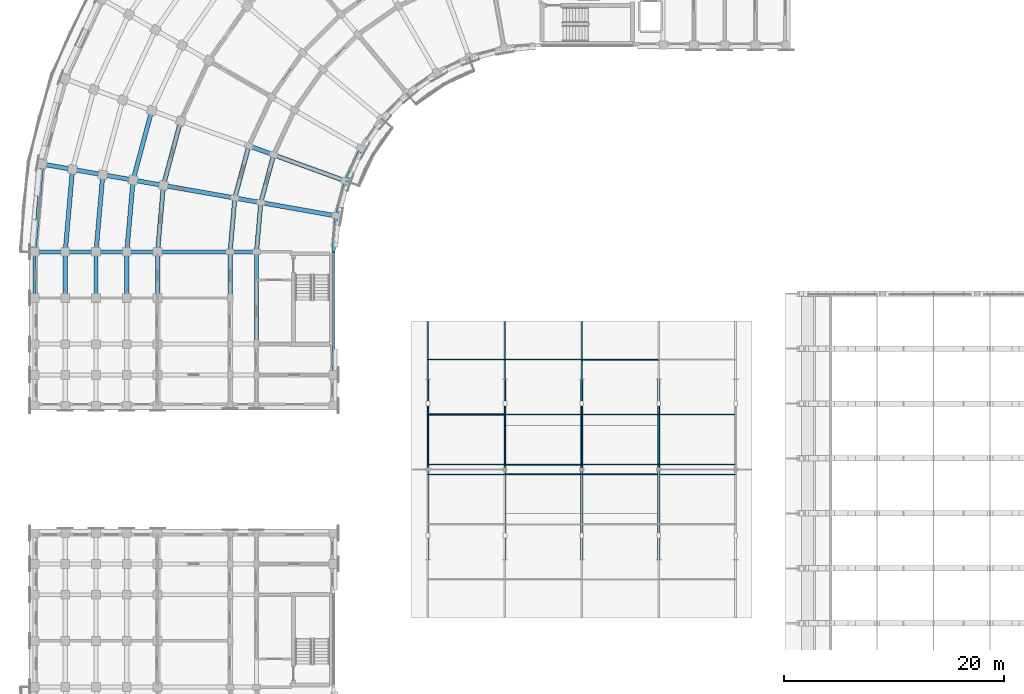
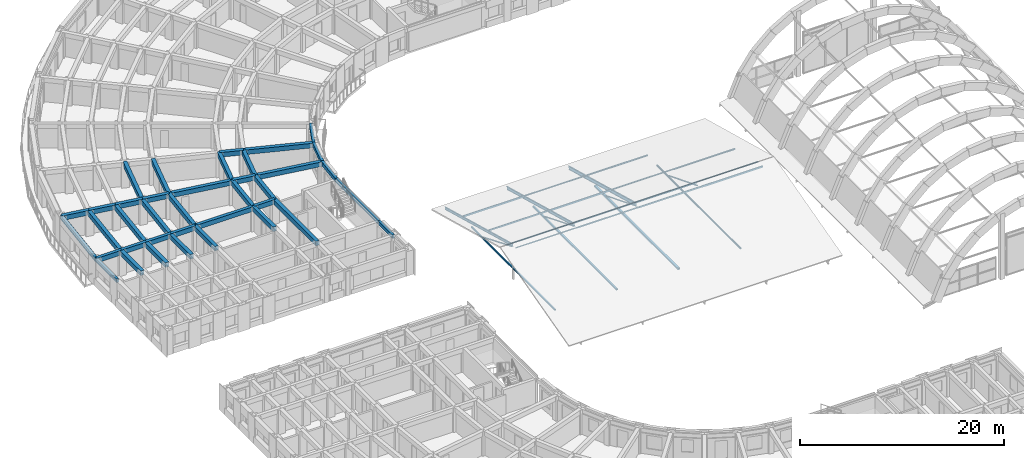
# One storey, part 17 of 76: 41 beams, 23 members.
"""IFC4 building model written with IfcOpenShell, lengths in metres."""

from ifc_helpers import new_model, si_unit, direction, frame, origin, origin_2d, place, context, subcontext, project, spatial, rectangle, hollow_rectangle, hollow_circle, i_section, extrude, material, material_profile, profile_set, type_object, element, save


model = new_model("IFC4")

# Units and contexts
model_context = context("Model", 3, precision=1e-05, world=origin(), true_north=direction((0.0, 1.0)))
body_context = subcontext(model_context, "Body", "Model", "MODEL_VIEW")
ifc_project = project(units=[si_unit("LENGTHUNIT", "METRE"), si_unit("AREAUNIT", "SQUARE_METRE"), si_unit("VOLUMEUNIT", "CUBIC_METRE"), si_unit("PLANEANGLEUNIT", "RADIAN"), si_unit("MASSUNIT", "GRAM", prefix="KILO")], contexts=[model_context])

# Site, building, storey
site_placement = place(None, origin())
site = spatial("IfcSite", under=ifc_project, at=site_placement, CompositionType="ELEMENT")
building_placement = place(site_placement, origin())
building = spatial("IfcBuilding", under=site, at=building_placement, Name="Kiranvali Square Residences", CompositionType="ELEMENT")
storey_placement = place(building_placement, frame((0.0, 0.0, 8.699951171875)))
storey = spatial("IfcBuildingStorey", under=building, at=storey_placement, Name="L02", CompositionType="ELEMENT", Elevation=8.699951171875)

# Beams
ifc_material_1 = material(Name="Concrete M40 (40 MPa)", Category="concrete")
ifc_material_profile_1 = material_profile(ifc_material_1, rectangle(XDim=0.35009765625, YDim=0.550048828125, at=origin_2d()), Name="RC 350x550")
ifc_profile_set_1 = profile_set([ifc_material_profile_1], Name="Concrete M40 (40 MPa)")
beam_type_1 = type_object("IfcBeamType", Name="BM-M40-350x550", PredefinedType="BEAM", material=ifc_profile_set_1)
beam_1_placement = place(storey_placement, frame((22.39990234375, 87.800048828125, 2.655029296875), z_axis=(-1.0, 0.0, 0.0), x_axis=(0.0, -1.0, 0.0)))
element("IfcBeam", 1, at=beam_1_placement, inside=storey, type_object=beam_type_1, Name="L02 beam BM-A-L02-A2T0-12", PredefinedType="BEAM", context=body_context, shape_type="SweptSolid", body=[
    extrude(rectangle(XDim=0.35009765625, YDim=0.550048828125, at=origin_2d()), origin(), (0.0, 0.0, 1.0), 2.39990234375),
])
beam_2_placement = place(storey_placement, frame((20.0, 87.800048828125, 2.655029296875), z_axis=(-1.0, 0.0, 0.0), x_axis=(0.0, -1.0, 0.0)))
element("IfcBeam", 2, at=beam_2_placement, inside=storey, type_object=beam_type_1, Name="L02 beam BM-A-L02-A2T0-23", PredefinedType="BEAM", context=body_context, shape_type="SweptSolid", body=[
    extrude(rectangle(XDim=0.35009765625, YDim=0.550048828125, at=origin_2d()), origin(), (0.0, 0.0, 1.0), 6.60009765625),
])
beam_3_placement = place(storey_placement, frame((13.39990234375, 87.800048828125, 2.655029296875), z_axis=(-1.0, 0.0, 0.0), x_axis=(0.0, -1.0, 0.0)))
element("IfcBeam", 3, at=beam_3_placement, inside=storey, type_object=beam_type_1, Name="L02 beam BM-A-L02-A2T0-34", PredefinedType="BEAM", context=body_context, shape_type="SweptSolid", body=[
    extrude(rectangle(XDim=0.35009765625, YDim=0.550048828125, at=origin_2d()), origin(), (0.0, 0.0, 1.0), 2.7998046875),
])
for number, where, z_axis, x_axis, name in (
    (4, (10.60009765625, 87.800048828125, 2.655029296875), (-1.0, 0.0, 0.0), (0.0, -1.0, 0.0), "L02 beam BM-A-L02-A2T0-45"),
    (5, (7.800048828125, 87.800048828125, 2.655029296875), (-1.0, 0.0, 0.0), (0.0, -1.0, 0.0), "L02 beam BM-A-L02-A2T0-56"),
    (6, (5.0, 87.800048828125, 2.655029296875), (-1.0, 0.0, 0.0), (0.0, -1.0, 0.0), "L02 beam BM-A-L02-A2T0-67"),
):
    element("IfcBeam", number, at=place(storey_placement, frame(where, z_axis=z_axis, x_axis=x_axis)), inside=storey, type_object=beam_type_1, Name=name, PredefinedType="BEAM", context=body_context, shape_type="SweptSolid", body=[
        extrude(rectangle(XDim=0.35009765625, YDim=0.550048828125, at=origin_2d()), origin(), (0.0, 0.0, 1.0), 2.800048828125),
    ])
ifc_material_2 = material(Name="Concrete M45 (45 MPa)", Category="concrete")
ifc_material_profile_2 = material_profile(ifc_material_2, rectangle(XDim=0.39990234375, YDim=0.550048828125, at=origin_2d()), Name="RC 400x550")
ifc_profile_set_2 = profile_set([ifc_material_profile_2], Name="Concrete M45 (45 MPa)")
beam_type_2 = type_object("IfcBeamType", Name="BM-M45-400x550", PredefinedType="BEAM", material=ifc_profile_set_2)
beam_4_placement = place(storey_placement, frame((23.955810546875, 96.6240234375, 2.655029296875), z_axis=(-0.258787642463, -0.965934240054, 0.0), x_axis=(0.965934240054, -0.258787642463, 0.0)))
element("IfcBeam", 7, at=beam_4_placement, inside=storey, type_object=beam_type_2, Name="L02 beam BM-A-L02-C07-R1", PredefinedType="BEAM", context=body_context, shape_type="SweptSolid", body=[
    extrude(rectangle(XDim=0.39990234375, YDim=0.550048828125, at=origin_2d()), origin(), (0.0, 0.0, 1.0), 4.497314453125),
])
beam_5_placement = place(storey_placement, frame((21.70068359375, 97.445068359375, 2.655029296875), z_axis=(-0.258803112091, -0.965930095386, 0.0), x_axis=(0.965930095386, -0.258803112091, 0.0)))
element("IfcBeam", 8, at=beam_5_placement, inside=storey, type_object=beam_type_2, Name="L02 beam BM-A-L02-C07-R2", PredefinedType="BEAM", context=body_context, shape_type="SweptSolid", body=[
    extrude(rectangle(XDim=0.39990234375, YDim=0.550048828125, at=origin_2d()), origin(), (0.0, 0.0, 1.0), 4.915771484375),
])
beam_6_placement = place(storey_placement, frame((15.498779296875, 99.702392578125, 2.655029296875), z_axis=(-0.258827283048, -0.965923618901, 0.0), x_axis=(0.965923618901, -0.258827283048, 0.0)))
element("IfcBeam", 9, at=beam_6_placement, inside=storey, type_object=beam_type_2, Name="L02 beam BM-A-L02-C07-R3", PredefinedType="BEAM", context=body_context, shape_type="SweptSolid", body=[
    extrude(rectangle(XDim=0.39990234375, YDim=0.550048828125, at=origin_2d()), origin(), (0.0, 0.0, 1.0), 6.066162109375),
])
beam_7_placement = place(storey_placement, frame((12.86767578125, 100.659912109375, 2.655029296875), z_axis=(-0.258847178297, -0.965918287583, 0.0), x_axis=(0.965918287583, -0.258847178297, 0.0)))
element("IfcBeam", 10, at=beam_7_placement, inside=storey, type_object=beam_type_2, Name="L02 beam BM-A-L02-C07-R4", PredefinedType="BEAM", context=body_context, shape_type="SweptSolid", body=[
    extrude(rectangle(XDim=0.39990234375, YDim=0.550048828125, at=origin_2d()), origin(), (0.0, 0.0, 1.0), 6.55419921875),
])
beam_8_placement = place(storey_placement, frame((22.7919921875, 92.280029296875, 2.655029296875), z_axis=(-0.087187153726, -0.996191949488, 0.0), x_axis=(0.996191949488, -0.087187153726, 0.0)))
element("IfcBeam", 11, at=beam_8_placement, inside=storey, type_object=beam_type_2, Name="L02 beam BM-A-L02-C08-R1", PredefinedType="BEAM", context=body_context, shape_type="SweptSolid", body=[
    extrude(rectangle(XDim=0.39990234375, YDim=0.550048828125, at=origin_2d()), origin(), (0.0, 0.0, 1.0), 4.4970703125),
])
beam_9_placement = place(storey_placement, frame((20.428466796875, 92.69677734375, 2.655029296875), z_axis=(-0.087167566415, -0.996193663584, 0.0), x_axis=(0.996193663584, -0.087167566415, 0.0)))
element("IfcBeam", 12, at=beam_9_placement, inside=storey, type_object=beam_type_2, Name="L02 beam BM-A-L02-C08-R2", PredefinedType="BEAM", context=body_context, shape_type="SweptSolid", body=[
    extrude(rectangle(XDim=0.39990234375, YDim=0.550048828125, at=origin_2d()), origin(), (0.0, 0.0, 1.0), 4.91552734375),
])
beam_10_placement = place(storey_placement, frame((13.9287109375, 93.843017578125, 2.655029296875), z_axis=(-0.087174938512, -0.996193018494, 0.0), x_axis=(0.996193018494, -0.087174938512, 0.0)))
element("IfcBeam", 13, at=beam_10_placement, inside=storey, type_object=beam_type_2, Name="L02 beam BM-A-L02-C08-R3", PredefinedType="BEAM", context=body_context, shape_type="SweptSolid", body=[
    extrude(rectangle(XDim=0.39990234375, YDim=0.550048828125, at=origin_2d()), origin(), (0.0, 0.0, 1.0), 6.066162109375),
])
beam_11_placement = place(storey_placement, frame((11.171142578125, 94.3291015625, 2.655029296875), z_axis=(-0.0871295204, -0.996196991902, 0.0), x_axis=(0.996196991902, -0.0871295204, 0.0)))
element("IfcBeam", 14, at=beam_11_placement, inside=storey, type_object=beam_type_2, Name="L02 beam BM-A-L02-C08-R4", PredefinedType="BEAM", context=body_context, shape_type="SweptSolid", body=[
    extrude(rectangle(XDim=0.39990234375, YDim=0.550048828125, at=origin_2d()), origin(), (0.0, 0.0, 1.0), 6.553955078125),
])
beam_12_placement = place(storey_placement, frame((8.413818359375, 94.8154296875, 2.655029296875), z_axis=(-0.087156198737, -0.996194658198, 0.0), x_axis=(0.996194658198, -0.087156198737, 0.0)))
element("IfcBeam", 15, at=beam_12_placement, inside=storey, type_object=beam_type_2, Name="L02 beam BM-A-L02-C08-R5", PredefinedType="BEAM", context=body_context, shape_type="SweptSolid", body=[
    extrude(rectangle(XDim=0.39990234375, YDim=0.550048828125, at=origin_2d()), origin(), (0.0, 0.0, 1.0), 7.042236328125),
])
beam_13_placement = place(storey_placement, frame((5.65625, 95.301513671875, 2.655029296875), z_axis=(-0.087150058103, -0.996195195417, 0.0), x_axis=(0.996195195417, -0.087150058103, 0.0)))
element("IfcBeam", 16, at=beam_13_placement, inside=storey, type_object=beam_type_2, Name="L02 beam BM-A-L02-C08-R6", PredefinedType="BEAM", context=body_context, shape_type="SweptSolid", body=[
    extrude(rectangle(XDim=0.39990234375, YDim=0.550048828125, at=origin_2d()), origin(), (0.0, 0.0, 1.0), 7.530029296875),
])
beam_14_placement = place(storey_placement, frame((30.53369140625, 94.22998046875, 2.655029296875), z_axis=(-0.939697665127, 0.342006283793, 0.0), x_axis=(-0.342006283793, -0.939697665127, 0.0)))
element("IfcBeam", 17, at=beam_14_placement, inside=storey, type_object=beam_type_2, Name="L02 beam BM-A-L02-RAD07-01", PredefinedType="BEAM", context=body_context, shape_type="SweptSolid", body=[
    extrude(rectangle(XDim=0.39990234375, YDim=0.550048828125, at=origin_2d()), origin(), (0.0, 0.0, 1.0), 7.0),
])
beam_15_placement = place(storey_placement, frame((23.955810546875, 96.6240234375, 2.655029296875), z_axis=(-0.939659694648, 0.342110593602, 0.0), x_axis=(-0.342110593602, -0.939659694648, 0.0)))
element("IfcBeam", 18, at=beam_15_placement, inside=storey, type_object=beam_type_2, Name="L02 beam BM-A-L02-RAD07-12", PredefinedType="BEAM", context=body_context, shape_type="SweptSolid", body=[
    extrude(rectangle(XDim=0.39990234375, YDim=0.550048828125, at=origin_2d()), origin(), (0.0, 0.0, 1.0), 2.39990234375),
])
beam_16_placement = place(storey_placement, frame((29.685546875, 91.064697265625, 2.655029296875), z_axis=(-0.984812337125, 0.173622177865, 0.0), x_axis=(-0.173622177865, -0.984812337125, 0.0)))
element("IfcBeam", 19, at=beam_16_placement, inside=storey, type_object=beam_type_2, Name="L02 beam BM-A-L02-RAD08-01", PredefinedType="BEAM", context=body_context, shape_type="SweptSolid", body=[
    extrude(rectangle(XDim=0.39990234375, YDim=0.550048828125, at=origin_2d()), origin(), (0.0, 0.0, 1.0), 6.999755859375),
])
beam_17_placement = place(storey_placement, frame((22.7919921875, 92.280029296875, 2.655029296875), z_axis=(-0.984808127031, 0.173646056486, 0.0), x_axis=(-0.173646056486, -0.984808127031, 0.0)))
element("IfcBeam", 20, at=beam_17_placement, inside=storey, type_object=beam_type_2, Name="L02 beam BM-A-L02-RAD08-12", PredefinedType="BEAM", context=body_context, shape_type="SweptSolid", body=[
    extrude(rectangle(XDim=0.39990234375, YDim=0.550048828125, at=origin_2d()), origin(), (0.0, 0.0, 1.0), 2.39990234375),
])
beam_18_placement = place(storey_placement, frame((20.428466796875, 92.69677734375, 2.655029296875), z_axis=(-0.984803661269, 0.173671381499, 0.0), x_axis=(-0.173671381499, -0.984803661269, 0.0)))
element("IfcBeam", 21, at=beam_18_placement, inside=storey, type_object=beam_type_2, Name="L02 beam BM-A-L02-RAD08-23", PredefinedType="BEAM", context=body_context, shape_type="SweptSolid", body=[
    extrude(rectangle(XDim=0.39990234375, YDim=0.550048828125, at=origin_2d()), origin(), (0.0, 0.0, 1.0), 6.60009765625),
])
beam_19_placement = place(storey_placement, frame((13.9287109375, 93.843017578125, 2.655029296875), z_axis=(-0.984816895441, 0.173596320392, 0.0), x_axis=(-0.173596320392, -0.984816895441, 0.0)))
element("IfcBeam", 22, at=beam_19_placement, inside=storey, type_object=beam_type_2, Name="L02 beam BM-A-L02-RAD08-34", PredefinedType="BEAM", context=body_context, shape_type="SweptSolid", body=[
    extrude(rectangle(XDim=0.39990234375, YDim=0.550048828125, at=origin_2d()), origin(), (0.0, 0.0, 1.0), 2.800048828125),
])
beam_20_placement = place(storey_placement, frame((11.171142578125, 94.3291015625, 2.655029296875), z_axis=(-0.984799355489, 0.173695795656, 0.0), x_axis=(-0.173695795656, -0.984799355489, 0.0)))
element("IfcBeam", 23, at=beam_20_placement, inside=storey, type_object=beam_type_2, Name="L02 beam BM-A-L02-RAD08-45", PredefinedType="BEAM", context=body_context, shape_type="SweptSolid", body=[
    extrude(rectangle(XDim=0.39990234375, YDim=0.550048828125, at=origin_2d()), origin(), (0.0, 0.0, 1.0), 2.7998046875),
])
beam_21_placement = place(storey_placement, frame((8.413818359375, 94.8154296875, 2.655029296875), z_axis=(-0.984816895441, 0.173596320392, 0.0), x_axis=(-0.173596320392, -0.984816895441, 0.0)))
element("IfcBeam", 24, at=beam_21_placement, inside=storey, type_object=beam_type_2, Name="L02 beam BM-A-L02-RAD08-56", PredefinedType="BEAM", context=body_context, shape_type="SweptSolid", body=[
    extrude(rectangle(XDim=0.39990234375, YDim=0.550048828125, at=origin_2d()), origin(), (0.0, 0.0, 1.0), 2.800048828125),
])
beam_22_placement = place(storey_placement, frame((5.65625, 95.301513671875, 2.655029296875), z_axis=(-0.984799355489, 0.173695795656, 0.0), x_axis=(-0.173695795656, -0.984799355489, 0.0)))
element("IfcBeam", 25, at=beam_22_placement, inside=storey, type_object=beam_type_2, Name="L02 beam BM-A-L02-RAD08-67", PredefinedType="BEAM", context=body_context, shape_type="SweptSolid", body=[
    extrude(rectangle(XDim=0.39990234375, YDim=0.550048828125, at=origin_2d()), origin(), (0.0, 0.0, 1.0), 2.7998046875),
])
beam_23_placement = place(storey_placement, frame((22.39990234375, 87.800048828125, 2.655029296875), z_axis=(0.0, -1.0, 0.0), x_axis=(1.0, 0.0, 0.0)))
element("IfcBeam", 26, at=beam_23_placement, inside=storey, type_object=beam_type_2, Name="L02 beam BM-A-L02-A2V0-R1", PredefinedType="BEAM", context=body_context, shape_type="SweptSolid", body=[
    extrude(rectangle(XDim=0.39990234375, YDim=0.550048828125, at=origin_2d()), origin(), (0.0, 0.0, 1.0), 8.400146484375),
])
for number, where, z_axis, x_axis, name in (
    (27, (20.0, 87.800048828125, 2.655029296875), (0.0, -1.0, 0.0), (1.0, 0.0, 0.0), "L02 beam BM-A-L02-A2V0-R2"),
    (28, (13.39990234375, 87.800048828125, 2.655029296875), (0.0, -1.0, 0.0), (1.0, 0.0, 0.0), "L02 beam BM-A-L02-A2V0-R3"),
    (29, (10.60009765625, 87.800048828125, 2.655029296875), (0.0, -1.0, 0.0), (1.0, 0.0, 0.0), "L02 beam BM-A-L02-A2V0-R4"),
    (30, (7.800048828125, 87.800048828125, 2.655029296875), (0.0, -1.0, 0.0), (1.0, 0.0, 0.0), "L02 beam BM-A-L02-A2V0-R5"),
    (31, (5.0, 87.800048828125, 2.655029296875), (0.0, -1.0, 0.0), (1.0, 0.0, 0.0), "L02 beam BM-A-L02-A2V0-R6"),
):
    element("IfcBeam", number, at=place(storey_placement, frame(where, z_axis=z_axis, x_axis=x_axis)), inside=storey, type_object=beam_type_2, Name=name, PredefinedType="BEAM", context=body_context, shape_type="SweptSolid", body=[
        extrude(rectangle(XDim=0.39990234375, YDim=0.550048828125, at=origin_2d()), origin(), (0.0, 0.0, 1.0), 4.199951171875),
    ])

# Members
ifc_material_3 = material(Name="Structural steel E350", Category="steel")
ifc_material_profile_3 = material_profile(ifc_material_3, hollow_circle(Radius=0.06982421875, WallThickness=0.00537109375, at=origin_2d()), Name="CHS 139.7x5.4")
ifc_profile_set_3 = profile_set([ifc_material_profile_3], Name="Structural steel E350")
member_type_1 = type_object("IfcMemberType", Name="MEM-CHS139", PredefinedType="BRACE", material=ifc_profile_set_3)
member_1_placement = place(storey_placement, frame((52.0, 74.0, 1.244140625), z_axis=(0.0, -0.92918908644, 0.369604709982), x_axis=(1.0, 0.0, 0.0)))
element("IfcMember", 32, at=member_1_placement, inside=storey, type_object=member_type_1, Name="Nursery Pavilion roof truss diagonal brace 3B", PredefinedType="BRACE", context=body_context, shape_type="SweptSolid", body=[
    extrude(hollow_circle(Radius=0.06982421875, WallThickness=0.00537109375, at=origin_2d()), origin(), (0.0, 0.0, 1.0), 6.177490234375),
])
ifc_material_profile_4 = material_profile(ifc_material_3, hollow_circle(Radius=0.096923828125, WallThickness=0.006103515625, at=origin_2d()), Name="CHS 193.7x6.0")
ifc_profile_set_4 = profile_set([ifc_material_profile_4], Name="Structural steel E350")
member_type_2 = type_object("IfcMemberType", Name="MEM-CHS193", PredefinedType="CHORD", material=ifc_profile_set_4)
member_2_placement = place(storey_placement, frame((59.0, 59.800048828125, 1.10009765625), z_axis=(0.0, 1.0, 0.0), x_axis=(-1.0, 0.0, 0.0)))
element("IfcMember", 33, at=member_2_placement, inside=storey, type_object=member_type_2, Name="Nursery Pavilion roof truss collar chord 4", PredefinedType="CHORD", context=body_context, shape_type="SweptSolid", body=[
    extrude(hollow_circle(Radius=0.096923828125, WallThickness=0.006103515625, at=origin_2d()), origin(), (0.0, 0.0, 1.0), 16.39990234375),
])
ifc_material_profile_5 = material_profile(ifc_material_3, hollow_circle(Radius=0.04443359375, WallThickness=0.0048828125, at=origin_2d()), Name="CHS 88.9x4.8")
ifc_profile_set_5 = profile_set([ifc_material_profile_5], Name="Structural steel E350")
member_type_3 = type_object("IfcMemberType", Name="MEM-CHS88", PredefinedType="BRACE", material=ifc_profile_set_5)
member_3_placement = place(storey_placement, frame((45.0, 74.0, 1.22412109375), z_axis=(0.0, -0.926677314824, 0.375857890952), x_axis=(1.0, 0.0, 0.0)))
element("IfcMember", 34, at=member_3_placement, inside=storey, type_object=member_type_3, Name="Nursery Pavilion roof truss diagonal brace 2B", PredefinedType="BRACE", context=body_context, shape_type="SweptSolid", body=[
    extrude(hollow_circle(Radius=0.04443359375, WallThickness=0.0048828125, at=origin_2d()), origin(), (0.0, 0.0, 1.0), 6.194091796875),
])
ifc_material_profile_6 = material_profile(ifc_material_3, i_section(OverallWidth=0.074951171875, OverallDepth=0.14990234375, WebThickness=0.0048828125, FlangeThickness=0.008056640625, at=origin_2d()), Name="ISMB 150")
ifc_profile_set_6 = profile_set([ifc_material_profile_6], Name="Structural steel E350")
member_type_4 = type_object("IfcMemberType", Name="MEM-ISMB150-P", PredefinedType="PURLIN", material=ifc_profile_set_6)
for number, where, z_axis, x_axis, name in (
    (35, (59.0, 68.449951171875, 3.811767578125), (1.0, 0.0, 0.0), (0.0, 1.0, 0.0), "Nursery Pavilion roof purlin 4.4"),
    (36, (52.0, 73.0, 2.592529296875), (1.0, 0.0, 0.0), (0.0, 1.0, 0.0), "Nursery Pavilion roof purlin 5.3"),
    (37, (45.0, 78.0, 1.2529296875), (1.0, 0.0, 0.0), (0.0, 1.0, 0.0), "Nursery Pavilion roof purlin 6.2"),
):
    element("IfcMember", number, at=place(storey_placement, frame(where, z_axis=z_axis, x_axis=x_axis)), inside=storey, type_object=member_type_4, Name=name, PredefinedType="PURLIN", context=body_context, shape_type="SweptSolid", body=[
        extrude(i_section(OverallWidth=0.074951171875, OverallDepth=0.14990234375, WebThickness=0.0048828125, FlangeThickness=0.008056640625, at=origin_2d()), origin(), (0.0, 0.0, 1.0), 7.0),
    ])
ifc_material_profile_7 = material_profile(ifc_material_3, i_section(OverallWidth=0.0849609375, OverallDepth=0.175048828125, WebThickness=0.005859375, FlangeThickness=0.009033203125, at=origin_2d()), Name="ISMB 175")
ifc_profile_set_7 = profile_set([ifc_material_profile_7], Name="Structural steel E350")
member_type_5 = type_object("IfcMemberType", Name="MEM-ISMB175-P", PredefinedType="PURLIN", material=ifc_profile_set_7)
for number, where, z_axis, x_axis, name in (
    (38, (59.0, 73.0, 2.580078125), (1.0, 0.0, 0.0), (0.0, 1.0, 0.0), "Nursery Pavilion roof purlin 5.4"),
    (39, (52.0, 78.0, 1.240478515625), (1.0, 0.0, 0.0), (0.0, 1.0, 0.0), "Nursery Pavilion roof purlin 6.3"),
):
    element("IfcMember", number, at=place(storey_placement, frame(where, z_axis=z_axis, x_axis=x_axis)), inside=storey, type_object=member_type_5, Name=name, PredefinedType="PURLIN", context=body_context, shape_type="SweptSolid", body=[
        extrude(i_section(OverallWidth=0.0849609375, OverallDepth=0.175048828125, WebThickness=0.005859375, FlangeThickness=0.009033203125, at=origin_2d()), origin(), (0.0, 0.0, 1.0), 7.0),
    ])
ifc_material_profile_8 = material_profile(ifc_material_3, hollow_rectangle(XDim=0.06103515625, YDim=0.1220703125, WallThickness=0.00439453125, at=origin_2d()), Name="RHS 122x61x4.5")
ifc_profile_set_8 = profile_set([ifc_material_profile_8], Name="Structural steel E350")
member_type_6 = type_object("IfcMemberType", Name="MEM-RHS122", PredefinedType="PURLIN", material=ifc_profile_set_8)
member_4_placement = place(storey_placement, frame((38.0, 67.550048828125, 3.82568359375), z_axis=(1.0, 0.0, 0.0), x_axis=(0.0, 1.0, 0.0)))
element("IfcMember", 40, at=member_4_placement, inside=storey, type_object=member_type_6, Name="Nursery Pavilion roof purlin 3.1", PredefinedType="PURLIN", context=body_context, shape_type="SweptSolid", body=[
    extrude(hollow_rectangle(XDim=0.06103515625, YDim=0.1220703125, WallThickness=0.00439453125, at=origin_2d()), origin(), (0.0, 0.0, 1.0), 7.0),
])
ifc_material_profile_9 = material_profile(ifc_material_3, hollow_rectangle(XDim=0.08203125, YDim=0.14501953125, WallThickness=0.00537109375, at=origin_2d()), Name="RHS 145x82x5.4")
ifc_profile_set_9 = profile_set([ifc_material_profile_9], Name="Structural steel E350")
member_type_7 = type_object("IfcMemberType", Name="MEM-RHS145", PredefinedType="PURLIN", material=ifc_profile_set_9)
for number, where, z_axis, x_axis, name in (
    (41, (45.0, 67.550048828125, 3.814208984375), (1.0, 0.0, 0.0), (0.0, 1.0, 0.0), "Nursery Pavilion roof purlin 3.2"),
    (42, (38.0, 68.449951171875, 3.814208984375), (1.0, 0.0, 0.0), (0.0, 1.0, 0.0), "Nursery Pavilion roof purlin 4.1"),
):
    element("IfcMember", number, at=place(storey_placement, frame(where, z_axis=z_axis, x_axis=x_axis)), inside=storey, type_object=member_type_7, Name=name, PredefinedType="PURLIN", context=body_context, shape_type="SweptSolid", body=[
        extrude(hollow_rectangle(XDim=0.08203125, YDim=0.14501953125, WallThickness=0.00537109375, at=origin_2d()), origin(), (0.0, 0.0, 1.0), 7.0),
    ])
ifc_material_profile_10 = material_profile(ifc_material_3, hollow_rectangle(XDim=0.092041015625, YDim=0.172119140625, WallThickness=0.00537109375, at=origin_2d()), Name="RHS 172x92x5.4")
ifc_profile_set_10 = profile_set([ifc_material_profile_10], Name="Structural steel E350")
member_type_8 = type_object("IfcMemberType", Name="MEM-RHS172", PredefinedType="PURLIN", material=ifc_profile_set_10)
for number, where, z_axis, x_axis, name in (
    (43, (52.0, 67.550048828125, 3.80078125), (1.0, 0.0, 0.0), (0.0, 1.0, 0.0), "Nursery Pavilion roof purlin 3.3"),
    (44, (45.0, 68.449951171875, 3.80078125), (1.0, 0.0, 0.0), (0.0, 1.0, 0.0), "Nursery Pavilion roof purlin 4.2"),
    (45, (38.0, 73.0, 2.58154296875), (1.0, 0.0, 0.0), (0.0, 1.0, 0.0), "Nursery Pavilion roof purlin 5.1"),
):
    element("IfcMember", number, at=place(storey_placement, frame(where, z_axis=z_axis, x_axis=x_axis)), inside=storey, type_object=member_type_8, Name=name, PredefinedType="PURLIN", context=body_context, shape_type="SweptSolid", body=[
        extrude(hollow_rectangle(XDim=0.092041015625, YDim=0.172119140625, WallThickness=0.00537109375, at=origin_2d()), origin(), (0.0, 0.0, 1.0), 7.0),
    ])
ifc_material_profile_11 = material_profile(ifc_material_3, hollow_rectangle(XDim=0.10009765625, YDim=0.199951171875, WallThickness=0.006103515625, at=origin_2d()), Name="RHS 200x100x6.0")
ifc_profile_set_11 = profile_set([ifc_material_profile_11], Name="Structural steel E350")
member_type_9 = type_object("IfcMemberType", Name="MEM-RHS200", PredefinedType="PURLIN", material=ifc_profile_set_11)
for number, where, z_axis, x_axis, name in (
    (46, (59.0, 67.550048828125, 3.786865234375), (1.0, 0.0, 0.0), (0.0, 1.0, 0.0), "Nursery Pavilion roof purlin 3.4"),
    (47, (52.0, 68.449951171875, 3.786865234375), (1.0, 0.0, 0.0), (0.0, 1.0, 0.0), "Nursery Pavilion roof purlin 4.3"),
    (48, (45.0, 73.0, 2.567626953125), (1.0, 0.0, 0.0), (0.0, 1.0, 0.0), "Nursery Pavilion roof purlin 5.2"),
    (49, (38.0, 78.0, 1.227783203125), (1.0, 0.0, 0.0), (0.0, 1.0, 0.0), "Nursery Pavilion roof purlin 6.1"),
):
    element("IfcMember", number, at=place(storey_placement, frame(where, z_axis=z_axis, x_axis=x_axis)), inside=storey, type_object=member_type_9, Name=name, PredefinedType="PURLIN", context=body_context, shape_type="SweptSolid", body=[
        extrude(hollow_rectangle(XDim=0.10009765625, YDim=0.199951171875, WallThickness=0.006103515625, at=origin_2d()), origin(), (0.0, 0.0, 1.0), 7.0),
    ])
ifc_material_profile_12 = material_profile(ifc_material_3, hollow_rectangle(XDim=0.113525390625, YDim=0.113525390625, WallThickness=0.00537109375, at=origin_2d()), Name="SHS 113.5x113.5x5.4")
ifc_profile_set_12 = profile_set([ifc_material_profile_12], Name="Structural steel E350")
member_type_10 = type_object("IfcMemberType", Name="MEM-SHS113", PredefinedType="BRACE", material=ifc_profile_set_12)
member_5_placement = place(storey_placement, frame((38.0, 74.0, 1.208984375), z_axis=(0.0, -0.924401000821, 0.381422062395), x_axis=(1.0, 0.0, 0.0)))
element("IfcMember", 50, at=member_5_placement, inside=storey, type_object=member_type_10, Name="Nursery Pavilion roof truss diagonal brace 1B", PredefinedType="BRACE", context=body_context, shape_type="SweptSolid", body=[
    extrude(hollow_rectangle(XDim=0.113525390625, YDim=0.113525390625, WallThickness=0.00537109375, at=origin_2d()), origin(), (0.0, 0.0, 1.0), 6.20947265625),
])
member_6_placement = place(storey_placement, frame((59.0, 74.0, 1.23095703125), z_axis=(0.0, -0.929839599098, 0.367965106972), x_axis=(1.0, 0.0, 0.0)))
element("IfcMember", 51, at=member_6_placement, inside=storey, type_object=member_type_10, Name="Nursery Pavilion roof truss diagonal brace 4B", PredefinedType="BRACE", context=body_context, shape_type="SweptSolid", body=[
    extrude(hollow_rectangle(XDim=0.113525390625, YDim=0.113525390625, WallThickness=0.00537109375, at=origin_2d()), origin(), (0.0, 0.0, 1.0), 6.173095703125),
])
ifc_material_profile_13 = material_profile(ifc_material_3, hollow_rectangle(XDim=0.14990234375, YDim=0.14990234375, WallThickness=0.006103515625, at=origin_2d()), Name="SHS 150x150x6.0")
ifc_profile_set_13 = profile_set([ifc_material_profile_13], Name="Structural steel E350")
member_type_11 = type_object("IfcMemberType", Name="MEM-SHS150", PredefinedType="CHORD", material=ifc_profile_set_13)
member_7_placement = place(storey_placement, frame((38.0, 59.800048828125, 1.10009765625), z_axis=(0.0, 1.0, 0.0), x_axis=(-1.0, 0.0, 0.0)))
element("IfcMember", 52, at=member_7_placement, inside=storey, type_object=member_type_11, Name="Nursery Pavilion roof truss collar chord 1", PredefinedType="CHORD", context=body_context, shape_type="SweptSolid", body=[
    extrude(hollow_rectangle(XDim=0.14990234375, YDim=0.14990234375, WallThickness=0.006103515625, at=origin_2d()), origin(), (0.0, 0.0, 1.0), 16.39990234375),
])
ifc_material_profile_14 = material_profile(ifc_material_3, hollow_rectangle(XDim=0.179931640625, YDim=0.179931640625, WallThickness=0.008056640625, at=origin_2d()), Name="SHS 180x180x8.0")
ifc_profile_set_14 = profile_set([ifc_material_profile_14], Name="Structural steel E350")
member_type_12 = type_object("IfcMemberType", Name="MEM-SHS180", PredefinedType="CHORD", material=ifc_profile_set_14)
member_8_placement = place(storey_placement, frame((45.0, 59.800048828125, 1.10009765625), z_axis=(0.0, 1.0, 0.0), x_axis=(-1.0, 0.0, 0.0)))
element("IfcMember", 53, at=member_8_placement, inside=storey, type_object=member_type_12, Name="Nursery Pavilion roof truss collar chord 2", PredefinedType="CHORD", context=body_context, shape_type="SweptSolid", body=[
    extrude(hollow_rectangle(XDim=0.179931640625, YDim=0.179931640625, WallThickness=0.008056640625, at=origin_2d()), origin(), (0.0, 0.0, 1.0), 16.39990234375),
])
ifc_material_profile_15 = material_profile(ifc_material_3, hollow_rectangle(XDim=0.219970703125, YDim=0.219970703125, WallThickness=0.008056640625, at=origin_2d()), Name="SHS 220x220x8.0")
ifc_profile_set_15 = profile_set([ifc_material_profile_15], Name="Structural steel E350")
member_type_13 = type_object("IfcMemberType", Name="MEM-SHS220", PredefinedType="CHORD", material=ifc_profile_set_15)
member_9_placement = place(storey_placement, frame((52.0, 59.800048828125, 1.10009765625), z_axis=(0.0, 1.0, 0.0), x_axis=(-1.0, 0.0, 0.0)))
element("IfcMember", 54, at=member_9_placement, inside=storey, type_object=member_type_13, Name="Nursery Pavilion roof truss collar chord 3", PredefinedType="CHORD", context=body_context, shape_type="SweptSolid", body=[
    extrude(hollow_rectangle(XDim=0.219970703125, YDim=0.219970703125, WallThickness=0.008056640625, at=origin_2d()), origin(), (0.0, 0.0, 1.0), 16.39990234375),
])

# Beams
ifc_material_profile_16 = material_profile(ifc_material_3, i_section(OverallWidth=0.139892578125, OverallDepth=0.300048828125, WebThickness=0.0078125, FlangeThickness=0.01318359375, at=origin_2d()), Name="ISMB 300")
ifc_profile_set_16 = profile_set([ifc_material_profile_16], Name="Structural steel E350")
beam_type_3 = type_object("IfcBeamType", Name="SBM-ISMB300", PredefinedType="BEAM", material=ifc_profile_set_16)
beam_24_placement = place(storey_placement, frame((38.0, 81.39990234375, 0.199951171875), z_axis=(0.0, -0.964943860611, 0.262456369459), x_axis=(1.0, 0.0, 0.0)))
element("IfcBeam", 55, at=beam_24_placement, inside=storey, type_object=beam_type_3, Name="Nursery Pavilion steel roof rafter N-1", PredefinedType="BEAM", context=body_context, shape_type="SweptSolid", body=[
    extrude(i_section(OverallWidth=0.139892578125, OverallDepth=0.300048828125, WebThickness=0.0078125, FlangeThickness=0.01318359375, at=origin_2d()), origin(), (0.0, 0.0, 1.0), 13.782958984375),
])
ifc_material_profile_17 = material_profile(ifc_material_3, i_section(OverallWidth=0.139892578125, OverallDepth=0.35009765625, WebThickness=0.008056640625, FlangeThickness=0.01416015625, at=origin_2d()), Name="ISMB 350")
ifc_profile_set_17 = profile_set([ifc_material_profile_17], Name="Structural steel E350")
beam_type_4 = type_object("IfcBeamType", Name="SBM-ISMB350", PredefinedType="BEAM", material=ifc_profile_set_17)
beam_25_placement = place(storey_placement, frame((45.0, 81.39990234375, 0.175048828125), z_axis=(0.0, -0.964948346457, 0.262439876296), x_axis=(1.0, 0.0, 0.0)))
element("IfcBeam", 56, at=beam_25_placement, inside=storey, type_object=beam_type_4, Name="Nursery Pavilion steel roof rafter N-2", PredefinedType="BEAM", context=body_context, shape_type="SweptSolid", body=[
    extrude(i_section(OverallWidth=0.139892578125, OverallDepth=0.35009765625, WebThickness=0.008056640625, FlangeThickness=0.01416015625, at=origin_2d()), origin(), (0.0, 0.0, 1.0), 13.782958984375),
])
ifc_material_profile_18 = material_profile(ifc_material_3, i_section(OverallWidth=0.139892578125, OverallDepth=0.39990234375, WebThickness=0.0087890625, FlangeThickness=0.01611328125, at=origin_2d()), Name="ISMB 400")
ifc_profile_set_18 = profile_set([ifc_material_profile_18], Name="Structural steel E350")
beam_type_5 = type_object("IfcBeamType", Name="SBM-ISMB400", PredefinedType="BEAM", material=ifc_profile_set_18)
beam_26_placement = place(storey_placement, frame((52.0, 81.39990234375, 0.150146484375), z_axis=(0.0, -0.964948346457, 0.262439876296), x_axis=(1.0, 0.0, 0.0)))
element("IfcBeam", 57, at=beam_26_placement, inside=storey, type_object=beam_type_5, Name="Nursery Pavilion steel roof rafter N-3", PredefinedType="BEAM", context=body_context, shape_type="SweptSolid", body=[
    extrude(i_section(OverallWidth=0.139892578125, OverallDepth=0.39990234375, WebThickness=0.0087890625, FlangeThickness=0.01611328125, at=origin_2d()), origin(), (0.0, 0.0, 1.0), 13.782958984375),
])
ifc_material_profile_19 = material_profile(ifc_material_1, rectangle(XDim=0.25, YDim=0.449951171875, at=origin_2d()), Name="RC 250x450")
ifc_profile_set_19 = profile_set([ifc_material_profile_19], Name="Concrete M40 (40 MPa)")
beam_type_6 = type_object("IfcBeamType", Name="SPN-M40-250x450", PredefinedType="SPANDREL", material=ifc_profile_set_19)
beam_27_placement = place(storey_placement, frame((29.39990234375, 87.800048828125, 2.705078125), z_axis=(0.0, -1.0, 0.0), x_axis=(1.0, 0.0, 0.0)))
element("IfcBeam", 58, at=beam_27_placement, inside=storey, type_object=beam_type_6, Name="L02 beam BM-A-L02-A2V0-R0", PredefinedType="SPANDREL", context=body_context, shape_type="SweptSolid", body=[
    extrude(rectangle(XDim=0.25, YDim=0.449951171875, at=origin_2d()), origin(), (0.0, 0.0, 1.0), 8.400146484375),
])
beam_28_placement = place(storey_placement, frame((29.39990234375, 79.39990234375, 2.705078125), z_axis=(0.0, -1.0, 0.0), x_axis=(1.0, 0.0, 0.0)))
element("IfcBeam", 59, at=beam_28_placement, inside=storey, type_object=beam_type_6, Name="L02 beam BM-A-L02-A2V1-R0", PredefinedType="SPANDREL", context=body_context, shape_type="SweptSolid", body=[
    extrude(rectangle(XDim=0.25, YDim=0.449951171875, at=origin_2d()), origin(), (0.0, 0.0, 1.0), 2.7998046875),
])
beam_29_placement = place(storey_placement, frame((2.199951171875, 87.800048828125, 2.705078125), z_axis=(0.0, -1.0, 0.0), x_axis=(1.0, 0.0, 0.0)))
element("IfcBeam", 60, at=beam_29_placement, inside=storey, type_object=beam_type_6, Name="L02 beam BM-A-L02-A2V0-R7", PredefinedType="SPANDREL", context=body_context, shape_type="SweptSolid", body=[
    extrude(rectangle(XDim=0.25, YDim=0.449951171875, at=origin_2d()), origin(), (0.0, 0.0, 1.0), 4.199951171875),
])
ifc_material_profile_20 = material_profile(ifc_material_1, rectangle(XDim=0.300048828125, YDim=0.449951171875, at=origin_2d()), Name="RC 300x450")
ifc_profile_set_20 = profile_set([ifc_material_profile_20], Name="Concrete M40 (40 MPa)")
beam_type_7 = type_object("IfcBeamType", Name="SPN-M40-300x450", PredefinedType="SPANDREL", material=ifc_profile_set_20)
beam_30_placement = place(storey_placement, frame((31.918701171875, 97.199951171875, 2.705078125), z_axis=(-0.422640740585, -0.90629730464, 0.0), x_axis=(0.90629730464, -0.422640740585, 0.0)))
element("IfcBeam", 61, at=beam_30_placement, inside=storey, type_object=beam_type_7, Name="L02 beam BM-A-L02-C06-R0", PredefinedType="SPANDREL", context=body_context, shape_type="SweptSolid", body=[
    extrude(rectangle(XDim=0.300048828125, YDim=0.449951171875, at=origin_2d()), origin(), (0.0, 0.0, 1.0), 3.277099609375),
])
beam_31_placement = place(storey_placement, frame((30.53369140625, 94.22998046875, 2.705078125), z_axis=(-0.258821736607, -0.965925105099, 0.0), x_axis=(0.965925105099, -0.258821736607, 0.0)))
element("IfcBeam", 62, at=beam_31_placement, inside=storey, type_object=beam_type_7, Name="L02 beam BM-A-L02-C07-R0", PredefinedType="SPANDREL", context=body_context, shape_type="SweptSolid", body=[
    extrude(rectangle(XDim=0.300048828125, YDim=0.449951171875, at=origin_2d()), origin(), (0.0, 0.0, 1.0), 3.27685546875),
])
beam_32_placement = place(storey_placement, frame((29.685546875, 91.064697265625, 2.705078125), z_axis=(-0.087163253657, -0.996194040944, 0.0), x_axis=(0.996194040944, -0.087163253657, 0.0)))
element("IfcBeam", 63, at=beam_32_placement, inside=storey, type_object=beam_type_7, Name="L02 beam BM-A-L02-C08-R0", PredefinedType="SPANDREL", context=body_context, shape_type="SweptSolid", body=[
    extrude(rectangle(XDim=0.300048828125, YDim=0.449951171875, at=origin_2d()), origin(), (0.0, 0.0, 1.0), 3.277099609375),
])
beam_33_placement = place(storey_placement, frame((2.89892578125, 95.787841796875, 2.705078125), z_axis=(-0.087172238171, -0.996193254792, 0.0), x_axis=(0.996193254792, -0.087172238171, 0.0)))
element("IfcBeam", 64, at=beam_33_placement, inside=storey, type_object=beam_type_7, Name="L02 beam BM-A-L02-C08-R7", PredefinedType="SPANDREL", context=body_context, shape_type="SweptSolid", body=[
    extrude(rectangle(XDim=0.300048828125, YDim=0.449951171875, at=origin_2d()), origin(), (0.0, 0.0, 1.0), 8.018310546875),
])

save(model, "model.ifc")
